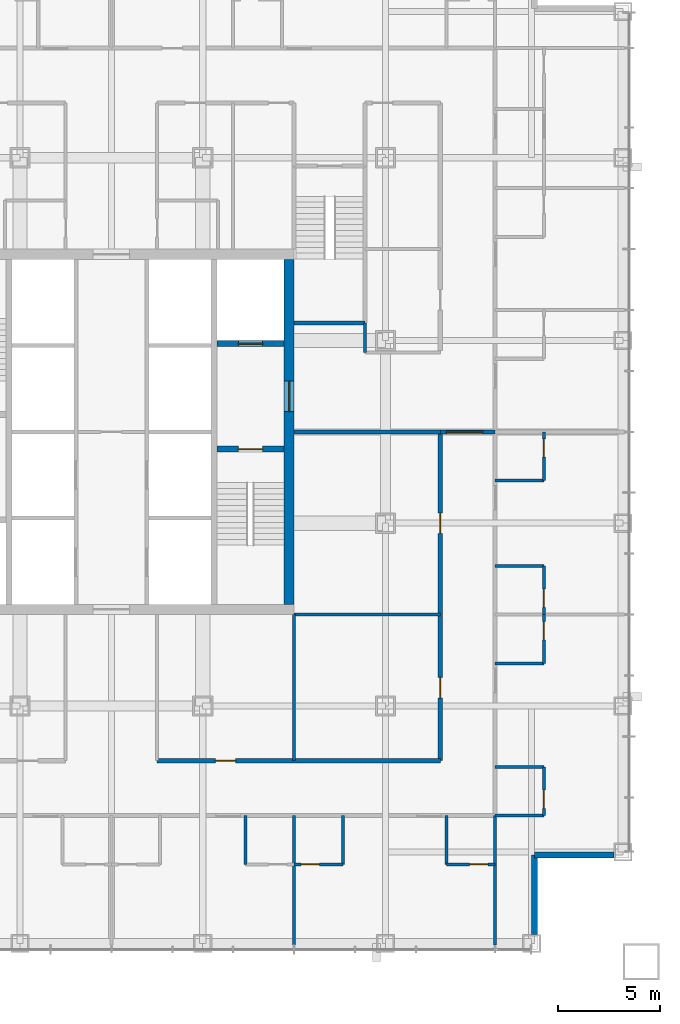
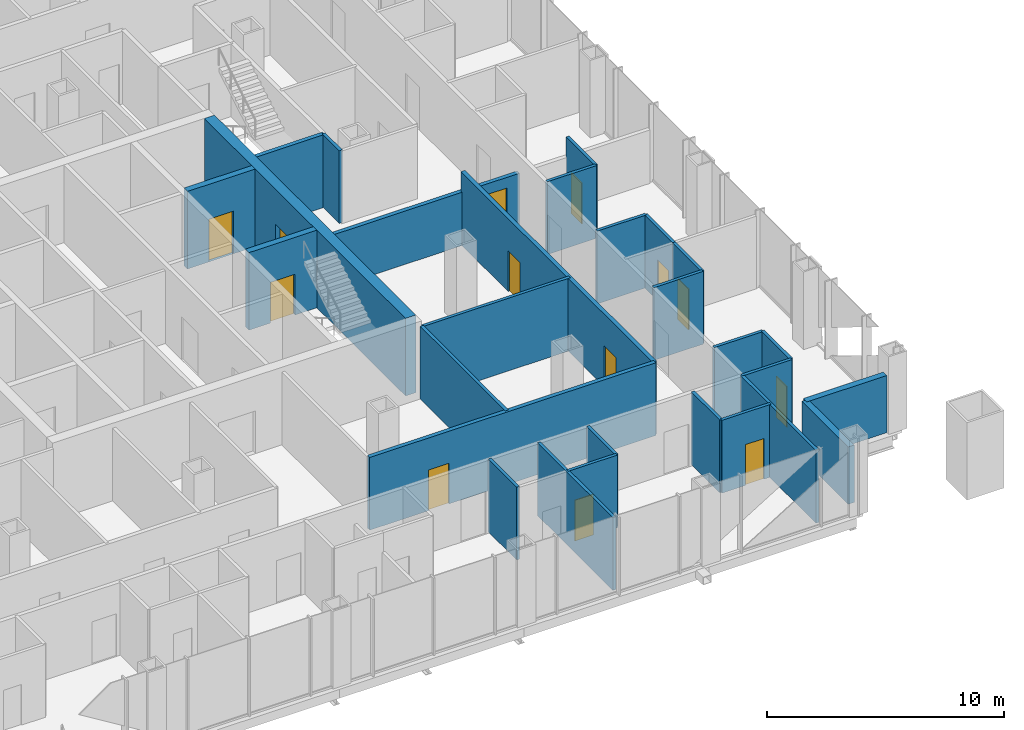
# One storey, part 9 of 17: 29 walls, 13 doors, 13 openings.
"""IFC4 building model written with IfcOpenShell, lengths in metres."""

from ifc_helpers import new_model, si_unit, direction, frame, frame_2d, origin, place, context, subcontext, project, spatial, rectangle, extrude, material, layer, layer_set, type_object, element, fill, save


model = new_model("IFC4")

# Units and contexts
model_context = context("Model", 3, precision=1e-05, world=origin(), true_north=direction((0.0, 1.0)))
body_context = subcontext(model_context, "Body", "Model", "MODEL_VIEW")
ifc_project = project(units=[si_unit("LENGTHUNIT", "METRE"), si_unit("AREAUNIT", "SQUARE_METRE"), si_unit("VOLUMEUNIT", "CUBIC_METRE"), si_unit("PLANEANGLEUNIT", "RADIAN"), si_unit("MASSUNIT", "GRAM", prefix="KILO")], contexts=[model_context])

# Site, building, storey
site_placement = place(None, origin())
site = spatial("IfcSite", under=ifc_project, at=site_placement, CompositionType="ELEMENT")
building_placement = place(site_placement, origin())
building = spatial("IfcBuilding", under=site, at=building_placement, Name="Malebo Sky Hospital", CompositionType="ELEMENT")
storey_placement = place(building_placement, frame((0.0, 0.0, 55.0)))
storey = spatial("IfcBuildingStorey", under=building, at=storey_placement, Name="L12", CompositionType="ELEMENT", Elevation=55.0)

# Wall, opening, door
ifc_material_1 = material(Name="Concrete C80/95", Category="concrete")
ifc_layer_1 = layer(ifc_material_1, 0.300048828125)
ifc_layer_set_1 = layer_set([ifc_layer_1], Name="CORE INNER WALL 300")
wall_type_1 = type_object("IfcWallType", Name="CORE INNER WALL 300", PredefinedType="SHEAR", material=ifc_layer_set_1)
wall_1_placement = place(storey_placement, frame((65.199951171875, 61.14990234375, 0.0), z_axis=(0.0, 0.0, 1.0), x_axis=(1.0, 0.0, 0.0)))
wall_1 = element("IfcWall", 1, at=wall_1_placement, inside=storey, type_object=wall_type_1, Name="Core wall E1 L12", PredefinedType="SHEAR", context=body_context, shape_type="SweptSolid", body=[
    extrude(rectangle(XDim=3.300048828125, YDim=0.300048828125, at=frame_2d((1.64990234375, 0.0))), origin(), (0.0, 0.0, 1.0), 4.0),
])
opening_1_placement = place(wall_1_placement, frame((1.050048828125, 0.0, 0.0)))
opening_1 = element("IfcOpeningElement", 2, at=opening_1_placement, cuts=wall_1, Name="Opening D08", PredefinedType="OPENING", context=body_context, shape_type="SweptSolid", body=[
    extrude(rectangle(XDim=1.199951171875, YDim=2.10009765625, at=frame_2d((0.60009765625, 1.050048828125))), frame((0.0, 0.159912109375, 0.0), z_axis=(0.0, -1.0, 0.0), x_axis=(1.0, 0.0, 0.0)), (0.0, 0.0, 1.0), 0.320068359375),
])
ifc_material_2 = material(Name="Hardwood-faced door leaf in steel frame", Category="steel")
door_type_1 = type_object("IfcDoorType", Name="STAIR DOOR 1200", OperationType="SINGLE_SWING_LEFT", PredefinedType="DOOR", material=ifc_material_2)
door_1_placement = place(opening_1_placement, origin())
door_1 = element("IfcDoor", 3, at=door_1_placement, inside=storey, type_object=door_type_1, Name="Stair S2 door", OperationType="SINGLE_SWING_LEFT", OverallHeight=2.10009765625, OverallWidth=1.199951171875, PredefinedType="DOOR", context=body_context, shape_type="SweptSolid", body=[
    extrude(rectangle(XDim=1.199951171875, YDim=2.10009765625, at=frame_2d((0.60009765625, 1.050048828125))), frame((0.0, 0.02490234375, 0.0), z_axis=(0.0, -1.0, 0.0), x_axis=(1.0, 0.0, 0.0)), (0.0, 0.0, 1.0), 0.050048828125),
])
fill(opening_1, door_1)

wall_2_placement = place(storey_placement, frame((65.199951171875, 66.35009765625, 0.0), z_axis=(0.0, 0.0, 1.0), x_axis=(1.0, 0.0, 0.0)))
wall_2 = element("IfcWall", 4, at=wall_2_placement, inside=storey, type_object=wall_type_1, Name="Core wall E2 L12", PredefinedType="SHEAR", context=body_context, shape_type="SweptSolid", body=[
    extrude(rectangle(XDim=3.300048828125, YDim=0.300048828125, at=frame_2d((1.64990234375, 0.0))), origin(), (0.0, 0.0, 1.0), 4.0),
])
opening_2_placement = place(wall_2_placement, frame((1.050048828125, 0.0, 0.0)))
opening_2 = element("IfcOpeningElement", 5, at=opening_2_placement, cuts=wall_2, Name="Opening LD2", PredefinedType="OPENING", context=body_context, shape_type="SweptSolid", body=[
    extrude(rectangle(XDim=1.199951171875, YDim=2.199951171875, at=frame_2d((0.60009765625, 1.10009765625))), frame((0.0, 0.159912109375, 0.0), z_axis=(0.0, -1.0, 0.0), x_axis=(1.0, 0.0, 0.0)), (0.0, 0.0, 1.0), 0.320068359375),
])
ifc_material_3 = material(Name="Stainless steel sliding landing door", Category="steel")
door_type_2 = type_object("IfcDoorType", Name="FIRE-FIGHTING LIFT LANDING DOOR 1200", OperationType="SLIDING_TO_LEFT", PredefinedType="DOOR", material=ifc_material_3)
door_2_placement = place(opening_2_placement, origin())
door_2 = element("IfcDoor", 6, at=door_2_placement, inside=storey, type_object=door_type_2, Name="Lift FL2 landing door", OperationType="SLIDING_TO_LEFT", OverallHeight=2.199951171875, OverallWidth=1.199951171875, PredefinedType="DOOR", context=body_context, shape_type="SweptSolid", body=[
    extrude(rectangle(XDim=1.199951171875, YDim=2.199951171875, at=frame_2d((0.60009765625, 1.10009765625))), frame((0.0, 0.02490234375, 0.0), z_axis=(0.0, -1.0, 0.0), x_axis=(1.0, 0.0, 0.0)), (0.0, 0.0, 1.0), 0.050048828125),
])
fill(opening_2, door_2)

ifc_layer_2 = layer(ifc_material_1, 0.5)
ifc_layer_set_2 = layer_set([ifc_layer_2], Name="CORE WALL 500")
wall_type_2 = type_object("IfcWallType", Name="CORE WALL 500", PredefinedType="SHEAR", material=ifc_layer_set_2)
wall_3_placement = place(storey_placement, frame((68.75, 53.5, 0.0), z_axis=(0.0, 0.0, 1.0), x_axis=(0.0, 1.0, 0.0)))
wall_3 = element("IfcWall", 7, at=wall_3_placement, inside=storey, type_object=wall_type_2, Name="Core wall E L12", PredefinedType="SHEAR", context=body_context, shape_type="SweptSolid", body=[
    extrude(rectangle(XDim=17.0, YDim=0.5, at=frame_2d((8.5, 0.0))), origin(), (0.0, 0.0, 1.0), 4.0),
])
opening_3_placement = place(wall_3_placement, frame((9.5, 0.0, 0.0)))
opening_3 = element("IfcOpeningElement", 8, at=opening_3_placement, cuts=wall_3, Name="Opening D07", PredefinedType="OPENING", context=body_context, shape_type="SweptSolid", body=[
    extrude(rectangle(XDim=1.5, YDim=2.199951171875, at=frame_2d((0.75, 1.10009765625))), frame((0.0, 0.260009765625, 0.0), z_axis=(0.0, -1.0, 0.0), x_axis=(1.0, 0.0, 0.0)), (0.0, 0.0, 1.0), 0.52001953125),
])
door_type_3 = type_object("IfcDoorType", Name="FIRE-FIGHTING LOBBY DOOR PAIR 1500", OperationType="DOUBLE_DOOR_SINGLE_SWING", PredefinedType="DOOR", material=ifc_material_2)
door_3_placement = place(opening_3_placement, origin())
door_3 = element("IfcDoor", 9, at=door_3_placement, inside=storey, type_object=door_type_3, Name="Fire-fighting lobby door east", OperationType="DOUBLE_DOOR_SINGLE_SWING", OverallHeight=2.199951171875, OverallWidth=1.5, PredefinedType="DOOR", context=body_context, shape_type="SweptSolid", body=[
    extrude(rectangle(XDim=1.5, YDim=2.199951171875, at=frame_2d((0.75, 1.10009765625))), frame((0.0, 0.02490234375, 0.0), z_axis=(0.0, -1.0, 0.0), x_axis=(1.0, 0.0, 0.0)), (0.0, 0.0, 1.0), 0.050048828125),
])
fill(opening_3, door_3)

ifc_material_4 = material(Name="Gypsum board on steel studs", Category="steel")
ifc_layer_3 = layer(ifc_material_4, 0.199951171875)
ifc_layer_set_3 = layer_set([ifc_layer_3], Name="CORRIDOR WALL 200")
wall_type_3 = type_object("IfcWallType", Name="CORRIDOR WALL 200", PredefinedType="PARTITIONING", material=ifc_layer_set_3)
wall_4_placement = place(storey_placement, frame((76.199951171875, 45.800048828125, 0.0), z_axis=(0.0, 0.0, 1.0), x_axis=(-1.0, 0.0, 0.0)))
wall_4 = element("IfcWall", 10, at=wall_4_placement, inside=storey, type_object=wall_type_3, Name="Corridor Wall 200 SCI1", PredefinedType="PARTITIONING", context=body_context, shape_type="SweptSolid", body=[
    extrude(rectangle(XDim=13.949951171875, YDim=0.199951171875, at=frame_2d((6.97509765625, 0.0))), origin(), (0.0, 0.0, 1.0), 3.75),
])
opening_4_placement = place(wall_4_placement, frame((10.074951171875, 0.0, 0.0)))
opening_4 = element("IfcOpeningElement", 11, at=opening_4_placement, cuts=wall_4, Name="Opening D03", PredefinedType="OPENING", context=body_context, shape_type="SweptSolid", body=[
    extrude(rectangle(XDim=1.0, YDim=2.10009765625, at=frame_2d((0.5, 1.050048828125))), frame((0.0, 0.10986328125, 0.0), z_axis=(0.0, -1.0, 0.0), x_axis=(1.0, 0.0, 0.0)), (0.0, 0.0, 1.0), 0.219970703125),
])
door_type_4 = type_object("IfcDoorType", Name="ROOM DOOR 1000", OperationType="SINGLE_SWING_LEFT", PredefinedType="DOOR", material=ifc_material_2)
door_4_placement = place(opening_4_placement, origin())
door_4 = element("IfcDoor", 12, at=door_4_placement, inside=storey, type_object=door_type_4, Name="Ward pantry door", OperationType="SINGLE_SWING_LEFT", OverallHeight=2.10009765625, OverallWidth=1.0, PredefinedType="DOOR", context=body_context, shape_type="SweptSolid", body=[
    extrude(rectangle(XDim=1.0, YDim=2.10009765625, at=frame_2d((0.5, 1.050048828125))), frame((0.0, 0.02490234375, 0.0), z_axis=(0.0, -1.0, 0.0), x_axis=(1.0, 0.0, 0.0)), (0.0, 0.0, 1.0), 0.050048828125),
])
fill(opening_4, door_4)

# Wall, openings, doors
wall_5_placement = place(storey_placement, frame((76.199951171875, 62.0, 0.0), z_axis=(0.0, 0.0, 1.0), x_axis=(0.0, -1.0, 0.0)))
wall_5 = element("IfcWall", 13, at=wall_5_placement, inside=storey, type_object=wall_type_3, Name="Corridor Wall 200 ECI2", PredefinedType="PARTITIONING", context=body_context, shape_type="SweptSolid", body=[
    extrude(rectangle(XDim=16.199951171875, YDim=0.199951171875, at=frame_2d((8.10009765625, 0.0))), origin(), (0.0, 0.0, 1.0), 3.75),
])
opening_5_placement = place(wall_5_placement, frame((4.0, 0.0, 0.0)))
opening_5 = element("IfcOpeningElement", 14, at=opening_5_placement, cuts=wall_5, Name="Opening D03", PredefinedType="OPENING", context=body_context, shape_type="SweptSolid", body=[
    extrude(rectangle(XDim=1.0, YDim=2.10009765625, at=frame_2d((0.5, 1.050048828125))), frame((0.0, 0.10986328125, 0.0), z_axis=(0.0, -1.0, 0.0), x_axis=(1.0, 0.0, 0.0)), (0.0, 0.0, 1.0), 0.219970703125),
])
opening_6_placement = place(wall_5_placement, frame((12.10009765625, 0.0, 0.0)))
opening_6 = element("IfcOpeningElement", 15, at=opening_6_placement, cuts=wall_5, Name="Opening D03", PredefinedType="OPENING", context=body_context, shape_type="SweptSolid", body=[
    extrude(rectangle(XDim=1.0, YDim=2.10009765625, at=frame_2d((0.5, 1.050048828125))), frame((0.0, 0.10986328125, 0.0), z_axis=(0.0, -1.0, 0.0), x_axis=(1.0, 0.0, 0.0)), (0.0, 0.0, 1.0), 0.219970703125),
])
door_5_placement = place(opening_5_placement, origin())
door_5 = element("IfcDoor", 16, at=door_5_placement, inside=storey, type_object=door_type_4, Name="Staff rest room door", OperationType="SINGLE_SWING_LEFT", OverallHeight=2.10009765625, OverallWidth=1.0, PredefinedType="DOOR", context=body_context, shape_type="SweptSolid", body=[
    extrude(rectangle(XDim=1.0, YDim=2.10009765625, at=frame_2d((0.5, 1.050048828125))), frame((0.0, 0.02490234375, 0.0), z_axis=(0.0, -1.0, 0.0), x_axis=(1.0, 0.0, 0.0)), (0.0, 0.0, 1.0), 0.050048828125),
])
fill(opening_5, door_5)
door_6_placement = place(opening_6_placement, origin())
door_6 = element("IfcDoor", 17, at=door_6_placement, inside=storey, type_object=door_type_4, Name="Wound care room door", OperationType="SINGLE_SWING_RIGHT", OverallHeight=2.10009765625, OverallWidth=1.0, PredefinedType="DOOR", context=body_context, shape_type="SweptSolid", body=[
    extrude(rectangle(XDim=1.0, YDim=2.10009765625, at=frame_2d((0.5, 1.050048828125))), frame((0.0, 0.02490234375, 0.0), z_axis=(0.0, -1.0, 0.0), x_axis=(1.0, 0.0, 0.0)), (0.0, 0.0, 1.0), 0.050048828125),
])
fill(opening_6, door_6)

# Walls
ifc_material_5 = material(Name="Anodised aluminium rainscreen on steel framing", Category="steel")
ifc_layer_4 = layer(ifc_material_5, 0.300048828125)
ifc_layer_set_4 = layer_set([ifc_layer_4], Name="NOTCH RAINSCREEN WALL 300")
wall_type_4 = type_object("IfcWallType", Name="NOTCH RAINSCREEN WALL 300", PredefinedType="ELEMENTEDWALL", material=ifc_layer_set_4)
for number, where, z_axis, x_axis, name in (
    (18, (84.75, 41.14990234375, 0.0), (0.0, 0.0, 1.0), (-1.0, 0.0, 0.0), "Notch rainscreen wall E1 L12"),
    (19, (80.85009765625, 41.14990234375, 0.0), (0.0, 0.0, 1.0), (0.0, -1.0, 0.0), "Notch rainscreen wall E2 L12"),
):
    element("IfcWall", number, at=place(storey_placement, frame(where, z_axis=z_axis, x_axis=x_axis)), inside=storey, type_object=wall_type_4, Name=name, PredefinedType="ELEMENTEDWALL", context=body_context, shape_type="SweptSolid", body=[
        extrude(rectangle(XDim=3.89990234375, YDim=0.300048828125, at=frame_2d((1.949951171875, 0.0))), origin(), (0.0, 0.0, 1.0), 2.949951171875),
    ])
ifc_layer_5 = layer(ifc_material_4, 0.14990234375)
ifc_layer_set_5 = layer_set([ifc_layer_5], Name="PARTITION 150")
wall_type_5 = type_object("IfcWallType", Name="PARTITION 150", PredefinedType="PARTITIONING", material=ifc_layer_set_5)
for number, where, z_axis, x_axis, name in (
    (20, (69.0, 43.10009765625, 0.0), (0.0, 0.0, 1.0), (0.0, -1.0, 0.0), "Partition 150 SP-9.0"),
    (21, (78.89990234375, 43.10009765625, 0.0), (0.0, 0.0, 1.0), (0.0, -1.0, 0.0), "Partition 150 SP0"),
):
    element("IfcWall", number, at=place(storey_placement, frame(where, z_axis=z_axis, x_axis=x_axis)), inside=storey, type_object=wall_type_5, Name=name, PredefinedType="PARTITIONING", context=body_context, shape_type="SweptSolid", body=[
        extrude(rectangle(XDim=6.375, YDim=0.14990234375, at=frame_2d((3.1875, 0.0))), origin(), (0.0, 0.0, 1.0), 3.75),
    ])

# Wall, opening, door
wall_6_placement = place(storey_placement, frame((78.89990234375, 40.699951171875, 0.0), z_axis=(0.0, 0.0, 1.0), x_axis=(-1.0, 0.0, 0.0)))
wall_6 = element("IfcWall", 22, at=wall_6_placement, inside=storey, type_object=wall_type_5, Name="Partition 150 SE0F", PredefinedType="PARTITIONING", context=body_context, shape_type="SweptSolid", body=[
    extrude(rectangle(XDim=2.39990234375, YDim=0.14990234375, at=frame_2d((1.199951171875, 0.0))), origin(), (0.0, 0.0, 1.0), 3.75),
])
opening_7_placement = place(wall_6_placement, frame((0.35009765625, 0.0, 0.0)))
opening_7 = element("IfcOpeningElement", 23, at=opening_7_placement, cuts=wall_6, Name="Opening D02", PredefinedType="OPENING", context=body_context, shape_type="SweptSolid", body=[
    extrude(rectangle(XDim=0.89990234375, YDim=2.10009765625, at=frame_2d((0.449951171875, 1.050048828125))), frame((0.0, 0.0849609375, 0.0), z_axis=(0.0, -1.0, 0.0), x_axis=(1.0, 0.0, 0.0)), (0.0, 0.0, 1.0), 0.169921875),
])
door_type_5 = type_object("IfcDoorType", Name="EN-SUITE DOOR 900", OperationType="SINGLE_SWING_LEFT", PredefinedType="DOOR", material=ifc_material_2)
door_7_placement = place(opening_7_placement, origin())
door_7 = element("IfcDoor", 24, at=door_7_placement, inside=storey, type_object=door_type_5, Name="En-suite door", OperationType="SINGLE_SWING_LEFT", OverallHeight=2.10009765625, OverallWidth=0.89990234375, PredefinedType="DOOR", context=body_context, shape_type="SweptSolid", body=[
    extrude(rectangle(XDim=0.89990234375, YDim=2.10009765625, at=frame_2d((0.449951171875, 1.050048828125))), frame((0.0, 0.02490234375, 0.0), z_axis=(0.0, -1.0, 0.0), x_axis=(1.0, 0.0, 0.0)), (0.0, 0.0, 1.0), 0.050048828125),
])
fill(opening_7, door_7)

# Wall
wall_7_placement = place(storey_placement, frame((76.5, 43.10009765625, 0.0), z_axis=(0.0, 0.0, 1.0), x_axis=(0.0, -1.0, 0.0)))
element("IfcWall", 25, at=wall_7_placement, inside=storey, type_object=wall_type_5, Name="Partition 150 SE0S", PredefinedType="PARTITIONING", context=body_context, shape_type="SweptSolid", body=[
    extrude(rectangle(XDim=2.400146484375, YDim=0.14990234375, at=frame_2d((1.2001953125, 0.0))), origin(), (0.0, 0.0, 1.0), 3.75),
])

# Wall, opening, door
wall_8_placement = place(storey_placement, frame((71.39990234375, 40.699951171875, 0.0), z_axis=(0.0, 0.0, 1.0), x_axis=(-1.0, 0.0, 0.0)))
wall_8 = element("IfcWall", 26, at=wall_8_placement, inside=storey, type_object=wall_type_5, Name="Partition 150 SG0F", PredefinedType="PARTITIONING", context=body_context, shape_type="SweptSolid", body=[
    extrude(rectangle(XDim=2.39990234375, YDim=0.14990234375, at=frame_2d((1.199951171875, 0.0))), origin(), (0.0, 0.0, 1.0), 3.75),
])
opening_8_placement = place(wall_8_placement, frame((1.14990234375, 0.0, 0.0)))
opening_8 = element("IfcOpeningElement", 27, at=opening_8_placement, cuts=wall_8, Name="Opening D02", PredefinedType="OPENING", context=body_context, shape_type="SweptSolid", body=[
    extrude(rectangle(XDim=0.89990234375, YDim=2.10009765625, at=frame_2d((0.449951171875, 1.050048828125))), frame((0.0, 0.0849609375, 0.0), z_axis=(0.0, -1.0, 0.0), x_axis=(1.0, 0.0, 0.0)), (0.0, 0.0, 1.0), 0.169921875),
])
door_8_placement = place(opening_8_placement, origin())
door_8 = element("IfcDoor", 28, at=door_8_placement, inside=storey, type_object=door_type_5, Name="En-suite door", OperationType="SINGLE_SWING_RIGHT", OverallHeight=2.10009765625, OverallWidth=0.89990234375, PredefinedType="DOOR", context=body_context, shape_type="SweptSolid", body=[
    extrude(rectangle(XDim=0.89990234375, YDim=2.10009765625, at=frame_2d((0.449951171875, 1.050048828125))), frame((0.0, 0.02490234375, 0.0), z_axis=(0.0, -1.0, 0.0), x_axis=(1.0, 0.0, 0.0)), (0.0, 0.0, 1.0), 0.050048828125),
])
fill(opening_8, door_8)

# Walls
for number, where, z_axis, x_axis, name in (
    (29, (71.39990234375, 43.10009765625, 0.0), (0.0, 0.0, 1.0), (0.0, -1.0, 0.0), "Partition 150 SG0S"),
    (30, (66.60009765625, 43.10009765625, 0.0), (0.0, 0.0, 1.0), (0.0, -1.0, 0.0), "Partition 150 SE1S"),
):
    element("IfcWall", number, at=place(storey_placement, frame(where, z_axis=z_axis, x_axis=x_axis)), inside=storey, type_object=wall_type_5, Name=name, PredefinedType="PARTITIONING", context=body_context, shape_type="SweptSolid", body=[
        extrude(rectangle(XDim=2.400146484375, YDim=0.14990234375, at=frame_2d((1.2001953125, 0.0))), origin(), (0.0, 0.0, 1.0), 3.75),
    ])
wall_9_placement = place(storey_placement, frame((69.0, 53.0, 0.0), z_axis=(0.0, 0.0, 1.0), x_axis=(0.0, -1.0, 0.0)))
element("IfcWall", 31, at=wall_9_placement, inside=storey, type_object=wall_type_5, Name="Partition 150 SSP0", PredefinedType="PARTITIONING", context=body_context, shape_type="SweptSolid", body=[
    extrude(rectangle(XDim=7.199951171875, YDim=0.14990234375, at=frame_2d((3.60009765625, 0.0))), origin(), (0.0, 0.0, 1.0), 3.75),
])

# Wall, opening, door
wall_10_placement = place(storey_placement, frame((81.300048828125, 62.0, 0.0), z_axis=(0.0, 0.0, 1.0), x_axis=(0.0, -1.0, 0.0)))
wall_10 = element("IfcWall", 32, at=wall_10_placement, inside=storey, type_object=wall_type_5, Name="Partition 150 EE3F", PredefinedType="PARTITIONING", context=body_context, shape_type="SweptSolid", body=[
    extrude(rectangle(XDim=2.39990234375, YDim=0.14990234375, at=frame_2d((1.199951171875, 0.0))), origin(), (0.0, 0.0, 1.0), 3.75),
])
opening_9_placement = place(wall_10_placement, frame((0.35009765625, 0.0, 0.0)))
opening_9 = element("IfcOpeningElement", 33, at=opening_9_placement, cuts=wall_10, Name="Opening D02", PredefinedType="OPENING", context=body_context, shape_type="SweptSolid", body=[
    extrude(rectangle(XDim=0.89990234375, YDim=2.10009765625, at=frame_2d((0.449951171875, 1.050048828125))), frame((0.0, 0.0849609375, 0.0), z_axis=(0.0, -1.0, 0.0), x_axis=(1.0, 0.0, 0.0)), (0.0, 0.0, 1.0), 0.169921875),
])
door_9_placement = place(opening_9_placement, origin())
door_9 = element("IfcDoor", 34, at=door_9_placement, inside=storey, type_object=door_type_5, Name="En-suite door", OperationType="SINGLE_SWING_LEFT", OverallHeight=2.10009765625, OverallWidth=0.89990234375, PredefinedType="DOOR", context=body_context, shape_type="SweptSolid", body=[
    extrude(rectangle(XDim=0.89990234375, YDim=2.10009765625, at=frame_2d((0.449951171875, 1.050048828125))), frame((0.0, 0.02490234375, 0.0), z_axis=(0.0, -1.0, 0.0), x_axis=(1.0, 0.0, 0.0)), (0.0, 0.0, 1.0), 0.050048828125),
])
fill(opening_9, door_9)

# Wall
wall_11_placement = place(storey_placement, frame((78.89990234375, 59.60009765625, 0.0), z_axis=(0.0, 0.0, 1.0), x_axis=(1.0, 0.0, 0.0)))
element("IfcWall", 35, at=wall_11_placement, inside=storey, type_object=wall_type_5, Name="Partition 150 EE3S", PredefinedType="PARTITIONING", context=body_context, shape_type="SweptSolid", body=[
    extrude(rectangle(XDim=2.400146484375, YDim=0.14990234375, at=frame_2d((1.2001953125, 0.0))), origin(), (0.0, 0.0, 1.0), 3.75),
])

# Wall, opening, door
wall_12_placement = place(storey_placement, frame((81.300048828125, 55.39990234375, 0.0), z_axis=(0.0, 0.0, 1.0), x_axis=(0.0, -1.0, 0.0)))
wall_12 = element("IfcWall", 36, at=wall_12_placement, inside=storey, type_object=wall_type_5, Name="Partition 150 EG3F", PredefinedType="PARTITIONING", context=body_context, shape_type="SweptSolid", body=[
    extrude(rectangle(XDim=2.39990234375, YDim=0.14990234375, at=frame_2d((1.199951171875, 0.0))), origin(), (0.0, 0.0, 1.0), 3.75),
])
opening_10_placement = place(wall_12_placement, frame((1.14990234375, 0.0, 0.0)))
opening_10 = element("IfcOpeningElement", 37, at=opening_10_placement, cuts=wall_12, Name="Opening D02", PredefinedType="OPENING", context=body_context, shape_type="SweptSolid", body=[
    extrude(rectangle(XDim=0.89990234375, YDim=2.10009765625, at=frame_2d((0.449951171875, 1.050048828125))), frame((0.0, 0.0849609375, 0.0), z_axis=(0.0, -1.0, 0.0), x_axis=(1.0, 0.0, 0.0)), (0.0, 0.0, 1.0), 0.169921875),
])
door_10_placement = place(opening_10_placement, origin())
door_10 = element("IfcDoor", 38, at=door_10_placement, inside=storey, type_object=door_type_5, Name="En-suite door", OperationType="SINGLE_SWING_RIGHT", OverallHeight=2.10009765625, OverallWidth=0.89990234375, PredefinedType="DOOR", context=body_context, shape_type="SweptSolid", body=[
    extrude(rectangle(XDim=0.89990234375, YDim=2.10009765625, at=frame_2d((0.449951171875, 1.050048828125))), frame((0.0, 0.02490234375, 0.0), z_axis=(0.0, -1.0, 0.0), x_axis=(1.0, 0.0, 0.0)), (0.0, 0.0, 1.0), 0.050048828125),
])
fill(opening_10, door_10)

# Wall
wall_13_placement = place(storey_placement, frame((78.89990234375, 55.39990234375, 0.0), z_axis=(0.0, 0.0, 1.0), x_axis=(1.0, 0.0, 0.0)))
element("IfcWall", 39, at=wall_13_placement, inside=storey, type_object=wall_type_5, Name="Partition 150 EG3S", PredefinedType="PARTITIONING", context=body_context, shape_type="SweptSolid", body=[
    extrude(rectangle(XDim=2.400146484375, YDim=0.14990234375, at=frame_2d((1.2001953125, 0.0))), origin(), (0.0, 0.0, 1.0), 3.75),
])

# Wall, opening, door
wall_14_placement = place(storey_placement, frame((81.300048828125, 53.0, 0.0), z_axis=(0.0, 0.0, 1.0), x_axis=(0.0, -1.0, 0.0)))
wall_14 = element("IfcWall", 40, at=wall_14_placement, inside=storey, type_object=wall_type_5, Name="Partition 150 EE4F", PredefinedType="PARTITIONING", context=body_context, shape_type="SweptSolid", body=[
    extrude(rectangle(XDim=2.39990234375, YDim=0.14990234375, at=frame_2d((1.199951171875, 0.0))), origin(), (0.0, 0.0, 1.0), 3.75),
])
opening_11_placement = place(wall_14_placement, frame((0.35009765625, 0.0, 0.0)))
opening_11 = element("IfcOpeningElement", 41, at=opening_11_placement, cuts=wall_14, Name="Opening D02", PredefinedType="OPENING", context=body_context, shape_type="SweptSolid", body=[
    extrude(rectangle(XDim=0.89990234375, YDim=2.10009765625, at=frame_2d((0.449951171875, 1.050048828125))), frame((0.0, 0.0849609375, 0.0), z_axis=(0.0, -1.0, 0.0), x_axis=(1.0, 0.0, 0.0)), (0.0, 0.0, 1.0), 0.169921875),
])
door_11_placement = place(opening_11_placement, origin())
door_11 = element("IfcDoor", 42, at=door_11_placement, inside=storey, type_object=door_type_5, Name="En-suite door", OperationType="SINGLE_SWING_LEFT", OverallHeight=2.10009765625, OverallWidth=0.89990234375, PredefinedType="DOOR", context=body_context, shape_type="SweptSolid", body=[
    extrude(rectangle(XDim=0.89990234375, YDim=2.10009765625, at=frame_2d((0.449951171875, 1.050048828125))), frame((0.0, 0.02490234375, 0.0), z_axis=(0.0, -1.0, 0.0), x_axis=(1.0, 0.0, 0.0)), (0.0, 0.0, 1.0), 0.050048828125),
])
fill(opening_11, door_11)

# Wall
wall_15_placement = place(storey_placement, frame((78.89990234375, 50.60009765625, 0.0), z_axis=(0.0, 0.0, 1.0), x_axis=(1.0, 0.0, 0.0)))
element("IfcWall", 43, at=wall_15_placement, inside=storey, type_object=wall_type_5, Name="Partition 150 EE4S", PredefinedType="PARTITIONING", context=body_context, shape_type="SweptSolid", body=[
    extrude(rectangle(XDim=2.400146484375, YDim=0.14990234375, at=frame_2d((1.2001953125, 0.0))), origin(), (0.0, 0.0, 1.0), 3.75),
])

# Wall, opening, door
wall_16_placement = place(storey_placement, frame((81.300048828125, 45.5, 0.0), z_axis=(0.0, 0.0, 1.0), x_axis=(0.0, -1.0, 0.0)))
wall_16 = element("IfcWall", 44, at=wall_16_placement, inside=storey, type_object=wall_type_5, Name="Partition 150 EG4F", PredefinedType="PARTITIONING", context=body_context, shape_type="SweptSolid", body=[
    extrude(rectangle(XDim=2.39990234375, YDim=0.14990234375, at=frame_2d((1.199951171875, 0.0))), origin(), (0.0, 0.0, 1.0), 3.75),
])
opening_12_placement = place(wall_16_placement, frame((1.14990234375, 0.0, 0.0)))
opening_12 = element("IfcOpeningElement", 45, at=opening_12_placement, cuts=wall_16, Name="Opening D02", PredefinedType="OPENING", context=body_context, shape_type="SweptSolid", body=[
    extrude(rectangle(XDim=0.89990234375, YDim=2.10009765625, at=frame_2d((0.449951171875, 1.050048828125))), frame((0.0, 0.0849609375, 0.0), z_axis=(0.0, -1.0, 0.0), x_axis=(1.0, 0.0, 0.0)), (0.0, 0.0, 1.0), 0.169921875),
])
door_12_placement = place(opening_12_placement, origin())
door_12 = element("IfcDoor", 46, at=door_12_placement, inside=storey, type_object=door_type_5, Name="En-suite door", OperationType="SINGLE_SWING_RIGHT", OverallHeight=2.10009765625, OverallWidth=0.89990234375, PredefinedType="DOOR", context=body_context, shape_type="SweptSolid", body=[
    extrude(rectangle(XDim=0.89990234375, YDim=2.10009765625, at=frame_2d((0.449951171875, 1.050048828125))), frame((0.0, 0.02490234375, 0.0), z_axis=(0.0, -1.0, 0.0), x_axis=(1.0, 0.0, 0.0)), (0.0, 0.0, 1.0), 0.050048828125),
])
fill(opening_12, door_12)

# Walls
for number, where, z_axis, x_axis, name in (
    (47, (78.89990234375, 45.5, 0.0), (0.0, 0.0, 1.0), (1.0, 0.0, 0.0), "Partition 150 EG4S"),
    (48, (78.89990234375, 43.10009765625, 0.0), (0.0, 0.0, 1.0), (1.0, 0.0, 0.0), "Partition 150 EEZ"),
):
    element("IfcWall", number, at=place(storey_placement, frame(where, z_axis=z_axis, x_axis=x_axis)), inside=storey, type_object=wall_type_5, Name=name, PredefinedType="PARTITIONING", context=body_context, shape_type="SweptSolid", body=[
        extrude(rectangle(XDim=2.400146484375, YDim=0.14990234375, at=frame_2d((1.2001953125, 0.0))), origin(), (0.0, 0.0, 1.0), 3.75),
    ])
wall_17_placement = place(storey_placement, frame((69.0, 53.0, 0.0), z_axis=(0.0, 0.0, 1.0), x_axis=(1.0, 0.0, 0.0)))
element("IfcWall", 49, at=wall_17_placement, inside=storey, type_object=wall_type_5, Name="Partition 150 ESP+9.0", PredefinedType="PARTITIONING", context=body_context, shape_type="SweptSolid", body=[
    extrude(rectangle(XDim=7.199951171875, YDim=0.14990234375, at=frame_2d((3.60009765625, 0.0))), origin(), (0.0, 0.0, 1.0), 3.75),
])
wall_18_placement = place(storey_placement, frame((72.5, 65.89990234375, 0.0), z_axis=(0.0, 0.0, 1.0), x_axis=(0.0, 1.0, 0.0)))
element("IfcWall", 50, at=wall_18_placement, inside=storey, type_object=wall_type_5, Name="Partition 150 ST3C", PredefinedType="PARTITIONING", context=body_context, shape_type="SweptSolid", body=[
    extrude(rectangle(XDim=1.4501953125, YDim=0.14990234375, at=frame_2d((0.72509765625, 0.0))), origin(), (0.0, 0.0, 1.0), 3.75),
])
ifc_material_6 = material(Name="Concrete blockwork", Category="masonry")
ifc_layer_6 = layer(ifc_material_6, 0.199951171875)
ifc_layer_set_6 = layer_set([ifc_layer_6], Name="SMOKE BARRIER WALL 200")
wall_type_6 = type_object("IfcWallType", Name="SMOKE BARRIER WALL 200", PredefinedType="SOLIDWALL", material=ifc_layer_set_6)
wall_19_placement = place(storey_placement, frame((69.0, 62.0, 0.0), z_axis=(0.0, 0.0, 1.0), x_axis=(1.0, 0.0, 0.0)))
element("IfcWall", 51, at=wall_19_placement, inside=storey, type_object=wall_type_6, Name="Smoke Barrier Wall 200 ESPB", PredefinedType="SOLIDWALL", context=body_context, shape_type="SweptSolid", body=[
    extrude(rectangle(XDim=7.199951171875, YDim=0.199951171875, at=frame_2d((3.60009765625, 0.0))), origin(), (0.0, 0.0, 1.0), 2.75),
])

# Wall, opening, door
wall_20_placement = place(storey_placement, frame((76.199951171875, 62.0, 0.0), z_axis=(0.0, 0.0, 1.0), x_axis=(1.0, 0.0, 0.0)))
wall_20 = element("IfcWall", 52, at=wall_20_placement, inside=storey, type_object=wall_type_6, Name="Smoke Barrier Wall 200 ESB", PredefinedType="SOLIDWALL", context=body_context, shape_type="SweptSolid", body=[
    extrude(rectangle(XDim=2.699951171875, YDim=0.199951171875, at=frame_2d((1.35009765625, 0.0))), origin(), (0.0, 0.0, 1.0), 2.75),
])
opening_13_placement = place(wall_20_placement, frame((0.300048828125, 0.0, 0.0)))
opening_13 = element("IfcOpeningElement", 53, at=opening_13_placement, cuts=wall_20, Name="Opening D05", PredefinedType="OPENING", context=body_context, shape_type="SweptSolid", body=[
    extrude(rectangle(XDim=1.800048828125, YDim=2.199951171875, at=frame_2d((0.89990234375, 1.10009765625))), frame((0.0, 0.10986328125, 0.0), z_axis=(0.0, -1.0, 0.0), x_axis=(1.0, 0.0, 0.0)), (0.0, 0.0, 1.0), 0.219970703125),
])
door_type_6 = type_object("IfcDoorType", Name="SMOKE DOOR PAIR 1800", OperationType="DOUBLE_DOOR_DOUBLE_SWING", PredefinedType="DOOR", material=ifc_material_2)
door_13_placement = place(opening_13_placement, origin())
door_13 = element("IfcDoor", 54, at=door_13_placement, inside=storey, type_object=door_type_6, Name="Smoke compartment door pair", OperationType="DOUBLE_DOOR_DOUBLE_SWING", OverallHeight=2.199951171875, OverallWidth=1.800048828125, PredefinedType="DOOR", context=body_context, shape_type="SweptSolid", body=[
    extrude(rectangle(XDim=1.800048828125, YDim=2.199951171875, at=frame_2d((0.89990234375, 1.10009765625))), frame((0.0, 0.02490234375, 0.0), z_axis=(0.0, -1.0, 0.0), x_axis=(1.0, 0.0, 0.0)), (0.0, 0.0, 1.0), 0.050048828125),
])
fill(opening_13, door_13)

# Wall
ifc_material_7 = material(Name="Concrete C40/50", Category="concrete")
ifc_layer_7 = layer(ifc_material_7, 0.199951171875)
ifc_layer_set_7 = layer_set([ifc_layer_7], Name="STAIR ENCLOSURE WALL 200")
wall_type_7 = type_object("IfcWallType", Name="STAIR ENCLOSURE WALL 200", PredefinedType="SOLIDWALL", material=ifc_layer_set_7)
wall_21_placement = place(storey_placement, frame((69.0, 67.35009765625, 0.0), z_axis=(0.0, 0.0, 1.0), x_axis=(1.0, 0.0, 0.0)))
element("IfcWall", 55, at=wall_21_placement, inside=storey, type_object=wall_type_7, Name="Stair Enclosure Wall 200 ST3S", PredefinedType="SOLIDWALL", context=body_context, shape_type="SweptSolid", body=[
    extrude(rectangle(XDim=3.5, YDim=0.199951171875, at=frame_2d((1.75, 0.0))), origin(), (0.0, 0.0, 1.0), 3.75),
])

save(model, "model.ifc")
